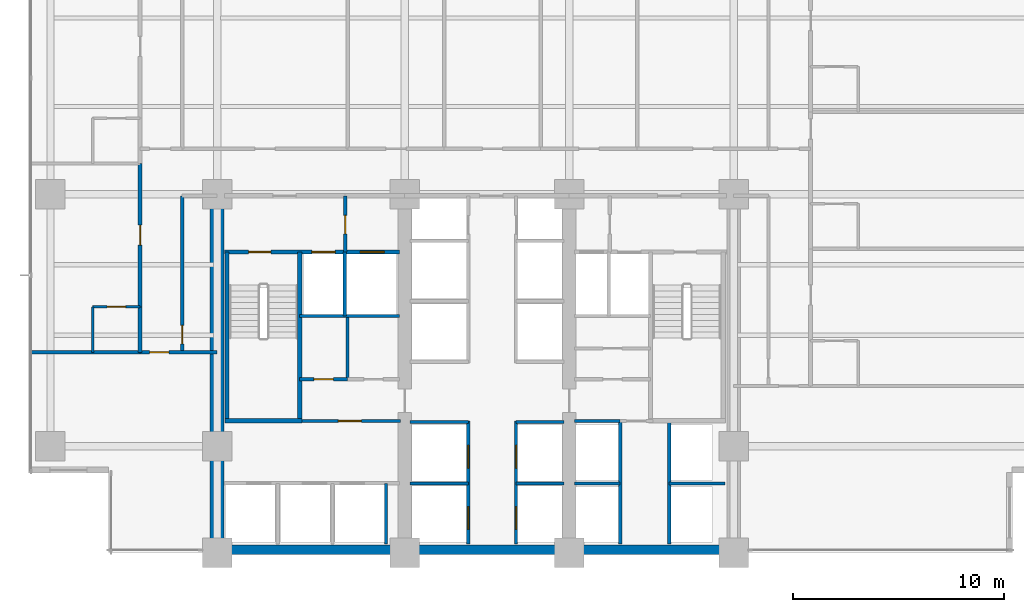
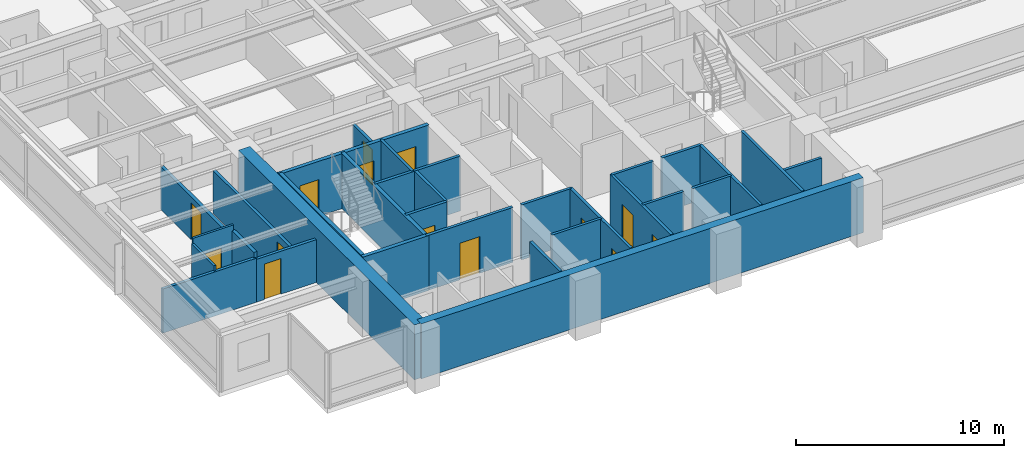
# One storey, part 7 of 16: 31 walls, 14 doors, 14 openings.
"""IFC4 building model written with IfcOpenShell, lengths in metres."""

from ifc_helpers import new_model, si_unit, direction, frame, frame_2d, origin, place, context, subcontext, project, spatial, rectangle, extrude, material, layer, layer_set, type_object, element, fill, save


model = new_model("IFC4")

# Units and contexts
model_context = context("Model", 3, precision=1e-05, world=origin(), true_north=direction((0.0, 1.0)))
body_context = subcontext(model_context, "Body", "Model", "MODEL_VIEW")
ifc_project = project(units=[si_unit("LENGTHUNIT", "METRE"), si_unit("AREAUNIT", "SQUARE_METRE"), si_unit("VOLUMEUNIT", "CUBIC_METRE"), si_unit("PLANEANGLEUNIT", "RADIAN"), si_unit("MASSUNIT", "GRAM", prefix="KILO")], contexts=[model_context])

# Site, building, storey
site_placement = place(None, origin())
site = spatial("IfcSite", under=ifc_project, at=site_placement, CompositionType="ELEMENT")
building_placement = place(site_placement, origin())
building = spatial("IfcBuilding", under=site, at=building_placement, Name="Qalmaran Belvedere Hotel", CompositionType="ELEMENT")
storey_placement = place(building_placement, frame((0.0, 0.0, 43.89990234375)))
storey = spatial("IfcBuildingStorey", under=building, at=storey_placement, Name="L10", CompositionType="ELEMENT", Elevation=43.89990234375)

# Walls
ifc_material_1 = material(Name="Concrete C60/75", Category="concrete")
ifc_layer_1 = layer(ifc_material_1, 0.64990234375, Name="Concrete C60/75")
ifc_layer_set_1 = layer_set([ifc_layer_1], Name="Concrete C60/75")
wall_type_1 = type_object("IfcWallType", Name="WL-CORE-650-C60", PredefinedType="SHEAR", material=ifc_layer_set_1)
wall_1_placement = place(storey_placement, frame((20.300048828125, 3.5, 0.0), z_axis=(0.0, 0.0, 1.0), x_axis=(0.0, 1.0, 0.0)))
element("IfcWall", 1, at=wall_1_placement, inside=storey, type_object=wall_type_1, Name="L10 West Core Shear Wall", PredefinedType="SHEAR", context=body_context, shape_type="SweptSolid", body=[
    extrude(rectangle(XDim=16.89990234375, YDim=0.64990234375, at=frame_2d((8.449951171875, 0.0))), origin(), (0.0, 0.0, 1.0), 3.22021484375),
])
ifc_material_2 = material(Name="Concrete C50/60", Category="concrete")
ifc_layer_2 = layer(ifc_material_2, 0.43994140625, Name="Concrete C50/60")
ifc_layer_set_2 = layer_set([ifc_layer_2], Name="Concrete C50/60")
wall_type_2 = type_object("IfcWallType", Name="WL-CORES-440-EXT", PredefinedType="SHEAR", material=ifc_layer_set_2)
wall_2_placement = place(storey_placement, frame((20.300048828125, 3.6298828125, 0.0), z_axis=(0.0, 0.0, 1.0), x_axis=(1.0, 0.0, 0.0)))
element("IfcWall", 2, at=wall_2_placement, inside=storey, type_object=wall_type_2, Name="L10 South Core Shear Wall", PredefinedType="SHEAR", context=body_context, shape_type="SweptSolid", body=[
    extrude(rectangle(XDim=24.5, YDim=0.43994140625, at=frame_2d((12.25, 0.0))), origin(), (0.0, 0.0, 1.0), 3.22021484375),
])

# Wall, opening, door
ifc_material_3 = material(Name="Moisture-Resistant Gypsum")
ifc_layer_3 = layer(ifc_material_3, 0.1201171875, Name="Moisture-Resistant Gypsum")
ifc_layer_set_3 = layer_set([ifc_layer_3], Name="Moisture-Resistant Gypsum")
wall_type_3 = type_object("IfcWallType", Name="WL-INT-120-BATH", PredefinedType="PARTITIONING", material=ifc_layer_set_3)
wall_3_placement = place(storey_placement, frame((14.39990234375, 15.14990234375, 0.0), z_axis=(0.0, 0.0, 1.0), x_axis=(1.0, 0.0, 0.0)))
wall_3 = element("IfcWall", 3, at=wall_3_placement, inside=storey, type_object=wall_type_3, Name="L10 Partition WL-L10-WBN00", PredefinedType="PARTITIONING", context=body_context, shape_type="SweptSolid", body=[
    extrude(rectangle(XDim=2.25, YDim=0.1201171875, at=frame_2d((1.125, 0.0))), origin(), (0.0, 0.0, 1.0), 3.22021484375),
])
opening_1_placement = place(wall_3_placement, frame((1.56494140625, 0.0, 0.0), z_axis=(0.0, 0.0, 1.0), x_axis=(-1.0, 0.0, 0.0)))
opening_1 = element("IfcOpeningElement", 4, at=opening_1_placement, cuts=wall_3, Name="Opening D-BATH", PredefinedType="OPENING", context=body_context, shape_type="SweptSolid", body=[
    extrude(rectangle(XDim=0.8798828125, YDim=2.080078125, at=frame_2d((0.43994140625, 1.0400390625))), frame((0.0, 0.070068359375, 0.0), z_axis=(0.0, -1.0, 0.0), x_axis=(1.0, 0.0, 0.0)), (0.0, 0.0, 1.0), 0.14013671875),
])
ifc_material_4 = material(Name="Engineered Oak Veneer")
door_type_1 = type_object("IfcDoorType", Name="DR-INT-BATH-880X2080", OperationType="NOTDEFINED", PredefinedType="DOOR", material=ifc_material_4)
door_1_placement = place(opening_1_placement, origin())
door_1 = element("IfcDoor", 5, at=door_1_placement, inside=storey, type_object=door_type_1, Name="L10 W Ensuite Door 01", OperationType="SINGLE_SWING_LEFT", OverallHeight=2.080078125, OverallWidth=0.8798828125, PredefinedType="DOOR", context=body_context, shape_type="SweptSolid", body=[
    extrude(rectangle(XDim=0.8798828125, YDim=2.080078125, at=frame_2d((0.43994140625, 1.0400390625))), frame((0.0, 0.02490234375, 0.0), z_axis=(0.0, -1.0, 0.0), x_axis=(1.0, 0.0, 0.0)), (0.0, 0.0, 1.0), 0.050048828125),
])
fill(opening_1, door_1)

# Walls
wall_4_placement = place(storey_placement, frame((14.39990234375, 13.0, 0.0), z_axis=(0.0, 0.0, 1.0), x_axis=(0.0, 1.0, 0.0)))
element("IfcWall", 6, at=wall_4_placement, inside=storey, type_object=wall_type_3, Name="L10 Partition WL-L10-WBS00", PredefinedType="PARTITIONING", context=body_context, shape_type="SweptSolid", body=[
    extrude(rectangle(XDim=2.14990234375, YDim=0.1201171875, at=frame_2d((1.074951171875, 0.0))), origin(), (0.0, 0.0, 1.0), 2.902099609375),
])
ifc_material_5 = material(Name="Gypsum Stud Partition")
ifc_layer_4 = layer(ifc_material_5, 0.14990234375, Name="Gypsum Stud Partition")
ifc_layer_set_4 = layer_set([ifc_layer_4], Name="Gypsum Stud Partition")
wall_type_4 = type_object("IfcWallType", Name="WL-INT-150-EI120", PredefinedType="PARTITIONING", material=ifc_layer_set_4)
wall_5_placement = place(storey_placement, frame((26.360107421875, 14.719970703125, 0.0), z_axis=(0.0, 0.0, 1.0), x_axis=(0.0, 1.0, 0.0)))
element("IfcWall", 7, at=wall_5_placement, inside=storey, type_object=wall_type_4, Name="L10 Partition WL-FF1M-L10", PredefinedType="PARTITIONING", context=body_context, shape_type="SweptSolid", body=[
    extrude(rectangle(XDim=3.0400390625, YDim=0.14990234375, at=frame_2d((1.52001953125, 0.0))), origin(), (0.0, 0.0, 1.0), 3.22021484375),
])
wall_6_placement = place(storey_placement, frame((28.320068359375, 3.89990234375, 0.0), z_axis=(0.0, 0.0, 1.0), x_axis=(0.0, 1.0, 0.0)))
element("IfcWall", 8, at=wall_6_placement, inside=storey, type_object=wall_type_4, Name="L10 Partition WL-POM3-L10", PredefinedType="PARTITIONING", context=body_context, shape_type="SweptSolid", body=[
    extrude(rectangle(XDim=2.880126953125, YDim=0.14990234375, at=frame_2d((1.43994140625, 0.0))), origin(), (0.0, 0.0, 1.0), 3.22021484375),
])
wall_7_placement = place(storey_placement, frame((37.25, 6.780029296875, 0.0), z_axis=(0.0, 0.0, 1.0), x_axis=(1.0, 0.0, 0.0)))
element("IfcWall", 9, at=wall_7_placement, inside=storey, type_object=wall_type_4, Name="L10 Partition WL-PHMW-L10", PredefinedType="PARTITIONING", context=body_context, shape_type="SweptSolid", body=[
    extrude(rectangle(XDim=2.169921875, YDim=0.14990234375, at=frame_2d((1.0849609375, 0.0))), origin(), (0.0, 0.0, 1.0), 3.22021484375),
])
wall_8_placement = place(storey_placement, frame((41.739990234375, 6.780029296875, 0.0), z_axis=(0.0, 0.0, 1.0), x_axis=(1.0, 0.0, 0.0)))
element("IfcWall", 10, at=wall_8_placement, inside=storey, type_object=wall_type_4, Name="L10 Partition WL-PHME-L10", PredefinedType="PARTITIONING", context=body_context, shape_type="SweptSolid", body=[
    extrude(rectangle(XDim=2.659912109375, YDim=0.14990234375, at=frame_2d((1.330078125, 0.0))), origin(), (0.0, 0.0, 1.0), 2.510009765625),
])
wall_9_placement = place(storey_placement, frame((29.449951171875, 6.780029296875, 0.0), z_axis=(0.0, 0.0, 1.0), x_axis=(1.0, 0.0, 0.0)))
element("IfcWall", 11, at=wall_9_placement, inside=storey, type_object=wall_type_4, Name="L10 Partition WL-PLW-L10-67", PredefinedType="PARTITIONING", context=body_context, shape_type="SweptSolid", body=[
    extrude(rectangle(XDim=2.77001953125, YDim=0.14990234375, at=frame_2d((1.385009765625, 0.0))), origin(), (0.0, 0.0, 1.0), 3.22021484375),
])
wall_10_placement = place(storey_placement, frame((34.47998046875, 6.780029296875, 0.0), z_axis=(0.0, 0.0, 1.0), x_axis=(1.0, 0.0, 0.0)))
element("IfcWall", 12, at=wall_10_placement, inside=storey, type_object=wall_type_4, Name="L10 Partition WL-PLE-L10-67", PredefinedType="PARTITIONING", context=body_context, shape_type="SweptSolid", body=[
    extrude(rectangle(XDim=2.27001953125, YDim=0.14990234375, at=frame_2d((1.135009765625, 0.0))), origin(), (0.0, 0.0, 1.0), 3.22021484375),
])
wall_11_placement = place(storey_placement, frame((29.449951171875, 9.699951171875, 0.0), z_axis=(0.0, 0.0, 1.0), x_axis=(1.0, 0.0, 0.0)))
element("IfcWall", 13, at=wall_11_placement, inside=storey, type_object=wall_type_4, Name="L10 Partition WL-PLW-L10-97", PredefinedType="PARTITIONING", context=body_context, shape_type="SweptSolid", body=[
    extrude(rectangle(XDim=2.77001953125, YDim=0.14990234375, at=frame_2d((1.385009765625, 0.0))), origin(), (0.0, 0.0, 1.0), 3.22021484375),
])
wall_12_placement = place(storey_placement, frame((34.47998046875, 9.699951171875, 0.0), z_axis=(0.0, 0.0, 1.0), x_axis=(1.0, 0.0, 0.0)))
element("IfcWall", 14, at=wall_12_placement, inside=storey, type_object=wall_type_4, Name="L10 Partition WL-PLE-L10-97", PredefinedType="PARTITIONING", context=body_context, shape_type="SweptSolid", body=[
    extrude(rectangle(XDim=2.27001953125, YDim=0.14990234375, at=frame_2d((1.135009765625, 0.0))), origin(), (0.0, 0.0, 1.0), 3.22021484375),
])
ifc_layer_5 = layer(ifc_material_5, 0.14990234375, Name="Gypsum Stud Partition")
ifc_layer_set_5 = layer_set([ifc_layer_5], Name="Gypsum Stud Partition")
wall_type_5 = type_object("IfcWallType", Name="WL-INT-150-EI60", PredefinedType="PARTITIONING", material=ifc_layer_set_5)
wall_13_placement = place(storey_placement, frame((26.490478515625, 11.719970703125, 0.0), z_axis=(0.0, 0.0, 1.0), x_axis=(0.0, 1.0, 0.0)))
element("IfcWall", 15, at=wall_13_placement, inside=storey, type_object=wall_type_5, Name="L10 Partition WL-L10-KWV1", PredefinedType="PARTITIONING", context=body_context, shape_type="SweptSolid", body=[
    extrude(rectangle(XDim=2.929931640625, YDim=0.14990234375, at=frame_2d((1.46484375, 0.0))), origin(), (0.0, 0.0, 1.0), 3.22021484375),
])

# Wall, opening, door
ifc_layer_6 = layer(ifc_material_5, 0.159912109375, Name="Gypsum Stud Partition")
ifc_layer_set_6 = layer_set([ifc_layer_6], Name="Gypsum Stud Partition")
wall_type_6 = type_object("IfcWallType", Name="WL-INT-160-EI120", PredefinedType="PARTITIONING", material=ifc_layer_set_6)
wall_14_placement = place(storey_placement, frame((26.3798828125, 17.760009765625, 0.0), z_axis=(0.0, 0.0, 1.0), x_axis=(0.0, 1.0, 0.0)))
wall_14 = element("IfcWall", 16, at=wall_14_placement, inside=storey, type_object=wall_type_6, Name="L10 Partition WL-FFSV1-L10", PredefinedType="PARTITIONING", context=body_context, shape_type="SweptSolid", body=[
    extrude(rectangle(XDim=2.659912109375, YDim=0.159912109375, at=frame_2d((1.330078125, 0.0))), origin(), (0.0, 0.0, 1.0), 2.510009765625),
])
opening_2_placement = place(wall_14_placement, frame((0.85009765625, 0.0, 0.0)))
opening_2 = element("IfcOpeningElement", 17, at=opening_2_placement, cuts=wall_14, Name="Opening FD60B", PredefinedType="OPENING", context=body_context, shape_type="SweptSolid", body=[
    extrude(rectangle(XDim=0.8798828125, YDim=2.080078125, at=frame_2d((0.43994140625, 1.0400390625))), frame((0.0, 0.08984375, 0.0), z_axis=(0.0, -1.0, 0.0), x_axis=(1.0, 0.0, 0.0)), (0.0, 0.0, 1.0), 0.179931640625),
])
ifc_material_6 = material(Name="Steel S355JR", Category="steel")
door_type_2 = type_object("IfcDoorType", Name="DR-FD60B-880X2080", OperationType="NOTDEFINED", PredefinedType="DOOR", material=ifc_material_6)
door_2_placement = place(opening_2_placement, origin())
door_2 = element("IfcDoor", 18, at=door_2_placement, inside=storey, type_object=door_type_2, Name="L10 Service Lobby West Door", OperationType="SINGLE_SWING_LEFT", OverallHeight=2.080078125, OverallWidth=0.8798828125, PredefinedType="DOOR", context=body_context, shape_type="SweptSolid", body=[
    extrude(rectangle(XDim=0.8798828125, YDim=2.080078125, at=frame_2d((0.43994140625, 1.0400390625))), frame((0.0, 0.02490234375, 0.0), z_axis=(0.0, -1.0, 0.0), x_axis=(1.0, 0.0, 0.0)), (0.0, 0.0, 1.0), 0.050048828125),
])
fill(opening_2, door_2)

# Wall
wall_15_placement = place(storey_placement, frame((24.219970703125, 14.719970703125, 0.0), z_axis=(0.0, 0.0, 1.0), x_axis=(1.0, 0.0, 0.0)))
element("IfcWall", 19, at=wall_15_placement, inside=storey, type_object=wall_type_6, Name="L10 Partition WL-FF1S-L10", PredefinedType="PARTITIONING", context=body_context, shape_type="SweptSolid", body=[
    extrude(rectangle(XDim=4.72998046875, YDim=0.159912109375, at=frame_2d((2.364990234375, 0.0))), origin(), (0.0, 0.0, 1.0), 3.22021484375),
])

# Wall, opening, door
wall_16_placement = place(storey_placement, frame((24.199951171875, 9.739990234375, 0.0), z_axis=(0.0, 0.0, 1.0), x_axis=(1.0, 0.0, 0.0)))
wall_16 = element("IfcWall", 20, at=wall_16_placement, inside=storey, type_object=wall_type_6, Name="L10 Partition WL-PON-L10", PredefinedType="PARTITIONING", context=body_context, shape_type="SweptSolid", body=[
    extrude(rectangle(XDim=4.800048828125, YDim=0.159912109375, at=frame_2d((2.39990234375, 0.0))), origin(), (0.0, 0.0, 1.0), 3.22021484375),
])
opening_3_placement = place(wall_16_placement, frame((1.85009765625, 0.0, 0.0)))
opening_3 = element("IfcOpeningElement", 21, at=opening_3_placement, cuts=wall_16, Name="Opening FD90", PredefinedType="OPENING", context=body_context, shape_type="SweptSolid", body=[
    extrude(rectangle(XDim=1.10009765625, YDim=2.14990234375, at=frame_2d((0.550048828125, 1.074951171875))), frame((0.0, 0.08984375, 0.0), z_axis=(0.0, -1.0, 0.0), x_axis=(1.0, 0.0, 0.0)), (0.0, 0.0, 1.0), 0.179931640625),
])
door_type_3 = type_object("IfcDoorType", Name="DR-FD90-1100X2150", OperationType="NOTDEFINED", PredefinedType="DOOR", material=ifc_material_6)
door_3_placement = place(opening_3_placement, origin())
door_3 = element("IfcDoor", 22, at=door_3_placement, inside=storey, type_object=door_type_3, Name="L10 Shuttle Lobby Passage Door", OperationType="SINGLE_SWING_RIGHT", OverallHeight=2.14990234375, OverallWidth=1.10009765625, PredefinedType="DOOR", context=body_context, shape_type="SweptSolid", body=[
    extrude(rectangle(XDim=1.10009765625, YDim=2.14990234375, at=frame_2d((0.550048828125, 1.074951171875))), frame((0.0, 0.02490234375, 0.0), z_axis=(0.0, -1.0, 0.0), x_axis=(1.0, 0.0, 0.0)), (0.0, 0.0, 1.0), 0.050048828125),
])
fill(opening_3, door_3)

# Walls
for number, where, z_axis, x_axis, name in (
    (23, (39.419921875, 3.89990234375, 0.0), (0.0, 0.0, 1.0), (0.0, 1.0, 0.0), "L10 Partition WL-PHW-L10"),
    (24, (41.739990234375, 3.89990234375, 0.0), (0.0, 0.0, 1.0), (0.0, 1.0, 0.0), "L10 Partition WL-PHE-L10"),
):
    element("IfcWall", number, at=place(storey_placement, frame(where, z_axis=z_axis, x_axis=x_axis)), inside=storey, type_object=wall_type_6, Name=name, PredefinedType="PARTITIONING", context=body_context, shape_type="SweptSolid", body=[
        extrude(rectangle(XDim=5.840087890625, YDim=0.159912109375, at=frame_2d((2.919921875, 0.0))), origin(), (0.0, 0.0, 1.0), 3.22021484375),
    ])
wall_17_placement = place(storey_placement, frame((37.25, 9.739990234375, 0.0), z_axis=(0.0, 0.0, 1.0), x_axis=(1.0, 0.0, 0.0)))
element("IfcWall", 25, at=wall_17_placement, inside=storey, type_object=wall_type_6, Name="L10 Partition WL-PHNW-L10", PredefinedType="PARTITIONING", context=body_context, shape_type="SweptSolid", body=[
    extrude(rectangle(XDim=2.169921875, YDim=0.159912109375, at=frame_2d((1.0849609375, 0.0))), origin(), (0.0, 0.0, 1.0), 3.22021484375),
])

# Wall, openings, doors
wall_18_placement = place(storey_placement, frame((32.219970703125, 3.89990234375, 0.0), z_axis=(0.0, 0.0, 1.0), x_axis=(0.0, 1.0, 0.0)))
wall_18 = element("IfcWall", 26, at=wall_18_placement, inside=storey, type_object=wall_type_6, Name="L10 Partition WL-CLBWS-L10", PredefinedType="PARTITIONING", context=body_context, shape_type="SweptSolid", body=[
    extrude(rectangle(XDim=5.840087890625, YDim=0.159912109375, at=frame_2d((2.919921875, 0.0))), origin(), (0.0, 0.0, 1.0), 3.22021484375),
])
opening_4_placement = place(wall_18_placement, frame((1.780029296875, 0.0, 0.0), z_axis=(0.0, 0.0, 1.0), x_axis=(-1.0, 0.0, 0.0)))
opening_4 = element("IfcOpeningElement", 27, at=opening_4_placement, cuts=wall_18, Name="Opening LD-P1", PredefinedType="OPENING", context=body_context, shape_type="SweptSolid", body=[
    extrude(rectangle(XDim=1.080078125, YDim=2.159912109375, at=frame_2d((0.5400390625, 1.080078125))), frame((0.0, 0.08984375, 0.0), z_axis=(0.0, -1.0, 0.0), x_axis=(1.0, 0.0, 0.0)), (0.0, 0.0, 1.0), 0.179931640625),
])
opening_5_placement = place(wall_18_placement, frame((4.68017578125, 0.0, 0.0), z_axis=(0.0, 0.0, 1.0), x_axis=(-1.0, 0.0, 0.0)))
opening_5 = element("IfcOpeningElement", 28, at=opening_5_placement, cuts=wall_18, Name="Opening LD-P1", PredefinedType="OPENING", context=body_context, shape_type="SweptSolid", body=[
    extrude(rectangle(XDim=1.080078125, YDim=2.159912109375, at=frame_2d((0.5400390625, 1.080078125))), frame((0.0, 0.08984375, 0.0), z_axis=(0.0, -1.0, 0.0), x_axis=(1.0, 0.0, 0.0)), (0.0, 0.0, 1.0), 0.179931640625),
])
ifc_material_7 = material(Name="Stainless Steel 1.4401", Category="steel")
door_type_4 = type_object("IfcDoorType", Name="DR-LIFT-P1-1080X2160", OperationType="DOUBLE_DOOR_SLIDING", PredefinedType="DOOR", material=ifc_material_7)
door_4_placement = place(opening_4_placement, origin())
door_4 = element("IfcDoor", 29, at=door_4_placement, inside=storey, type_object=door_type_4, Name="L10 PL1 Lift Landing Door", OperationType="DOUBLE_DOOR_SLIDING", OverallHeight=2.159912109375, OverallWidth=1.080078125, PredefinedType="DOOR", context=body_context, shape_type="SweptSolid", body=[
    extrude(rectangle(XDim=1.080078125, YDim=2.159912109375, at=frame_2d((0.5400390625, 1.080078125))), frame((0.0, 0.02490234375, 0.0), z_axis=(0.0, -1.0, 0.0), x_axis=(1.0, 0.0, 0.0)), (0.0, 0.0, 1.0), 0.050048828125),
])
fill(opening_4, door_4)
door_5_placement = place(opening_5_placement, origin())
door_5 = element("IfcDoor", 30, at=door_5_placement, inside=storey, type_object=door_type_4, Name="L10 PL2 Lift Landing Door", OperationType="DOUBLE_DOOR_SLIDING", OverallHeight=2.159912109375, OverallWidth=1.080078125, PredefinedType="DOOR", context=body_context, shape_type="SweptSolid", body=[
    extrude(rectangle(XDim=1.080078125, YDim=2.159912109375, at=frame_2d((0.5400390625, 1.080078125))), frame((0.0, 0.02490234375, 0.0), z_axis=(0.0, -1.0, 0.0), x_axis=(1.0, 0.0, 0.0)), (0.0, 0.0, 1.0), 0.050048828125),
])
fill(opening_5, door_5)

wall_19_placement = place(storey_placement, frame((34.47998046875, 3.89990234375, 0.0), z_axis=(0.0, 0.0, 1.0), x_axis=(0.0, 1.0, 0.0)))
wall_19 = element("IfcWall", 31, at=wall_19_placement, inside=storey, type_object=wall_type_6, Name="L10 Partition WL-CLBES-L10", PredefinedType="PARTITIONING", context=body_context, shape_type="SweptSolid", body=[
    extrude(rectangle(XDim=5.840087890625, YDim=0.159912109375, at=frame_2d((2.919921875, 0.0))), origin(), (0.0, 0.0, 1.0), 3.22021484375),
])
opening_6_placement = place(wall_19_placement, frame((0.699951171875, 0.0, 0.0)))
opening_6 = element("IfcOpeningElement", 32, at=opening_6_placement, cuts=wall_19, Name="Opening LD-P1", PredefinedType="OPENING", context=body_context, shape_type="SweptSolid", body=[
    extrude(rectangle(XDim=1.080078125, YDim=2.159912109375, at=frame_2d((0.5400390625, 1.080078125))), frame((0.0, 0.08984375, 0.0), z_axis=(0.0, -1.0, 0.0), x_axis=(1.0, 0.0, 0.0)), (0.0, 0.0, 1.0), 0.179931640625),
])
opening_7_placement = place(wall_19_placement, frame((3.60009765625, 0.0, 0.0)))
opening_7 = element("IfcOpeningElement", 33, at=opening_7_placement, cuts=wall_19, Name="Opening LD-P1", PredefinedType="OPENING", context=body_context, shape_type="SweptSolid", body=[
    extrude(rectangle(XDim=1.080078125, YDim=2.159912109375, at=frame_2d((0.5400390625, 1.080078125))), frame((0.0, 0.08984375, 0.0), z_axis=(0.0, -1.0, 0.0), x_axis=(1.0, 0.0, 0.0)), (0.0, 0.0, 1.0), 0.179931640625),
])
door_6_placement = place(opening_6_placement, origin())
door_6 = element("IfcDoor", 34, at=door_6_placement, inside=storey, type_object=door_type_4, Name="L10 PL3 Lift Landing Door", OperationType="DOUBLE_DOOR_SLIDING", OverallHeight=2.159912109375, OverallWidth=1.080078125, PredefinedType="DOOR", context=body_context, shape_type="SweptSolid", body=[
    extrude(rectangle(XDim=1.080078125, YDim=2.159912109375, at=frame_2d((0.5400390625, 1.080078125))), frame((0.0, 0.02490234375, 0.0), z_axis=(0.0, -1.0, 0.0), x_axis=(1.0, 0.0, 0.0)), (0.0, 0.0, 1.0), 0.050048828125),
])
fill(opening_6, door_6)
door_7_placement = place(opening_7_placement, origin())
door_7 = element("IfcDoor", 35, at=door_7_placement, inside=storey, type_object=door_type_4, Name="L10 PL4 Lift Landing Door", OperationType="DOUBLE_DOOR_SLIDING", OverallHeight=2.159912109375, OverallWidth=1.080078125, PredefinedType="DOOR", context=body_context, shape_type="SweptSolid", body=[
    extrude(rectangle(XDim=1.080078125, YDim=2.159912109375, at=frame_2d((0.5400390625, 1.080078125))), frame((0.0, 0.02490234375, 0.0), z_axis=(0.0, -1.0, 0.0), x_axis=(1.0, 0.0, 0.0)), (0.0, 0.0, 1.0), 0.050048828125),
])
fill(opening_7, door_7)

# Wall, opening, door
ifc_layer_7 = layer(ifc_material_5, 0.159912109375, Name="Gypsum Stud Partition")
ifc_layer_set_7 = layer_set([ifc_layer_7], Name="Gypsum Stud Partition")
wall_type_7 = type_object("IfcWallType", Name="WL-INT-160-EI60", PredefinedType="PARTITIONING", material=ifc_layer_set_7)
wall_20_placement = place(storey_placement, frame((24.219970703125, 11.719970703125, 0.0), z_axis=(0.0, 0.0, 1.0), x_axis=(1.0, 0.0, 0.0)))
wall_20 = element("IfcWall", 36, at=wall_20_placement, inside=storey, type_object=wall_type_7, Name="L10 Partition WL-L10-KWE1", PredefinedType="PARTITIONING", context=body_context, shape_type="SweptSolid", body=[
    extrude(rectangle(XDim=2.2705078125, YDim=0.159912109375, at=frame_2d((1.13525390625, 0.0))), origin(), (0.0, 0.0, 1.0), 3.22021484375),
])
opening_8_placement = place(wall_20_placement, frame((0.67529296875, 0.0, 0.0)))
opening_8 = element("IfcOpeningElement", 37, at=opening_8_placement, cuts=wall_20, Name="Opening FD60S1", PredefinedType="OPENING", context=body_context, shape_type="SweptSolid", body=[
    extrude(rectangle(XDim=0.919921875, YDim=2.080078125, at=frame_2d((0.4599609375, 1.0400390625))), frame((0.0, 0.08984375, 0.0), z_axis=(0.0, -1.0, 0.0), x_axis=(1.0, 0.0, 0.0)), (0.0, 0.0, 1.0), 0.179931640625),
])
door_type_5 = type_object("IfcDoorType", Name="DR-FD60S-920X2080", OperationType="NOTDEFINED", PredefinedType="DOOR", material=ifc_material_4)
door_8_placement = place(opening_8_placement, origin())
door_8 = element("IfcDoor", 38, at=door_8_placement, inside=storey, type_object=door_type_5, Name="L10 Telecom and IT Room Door", OperationType="SINGLE_SWING_RIGHT", OverallHeight=2.080078125, OverallWidth=0.919921875, PredefinedType="DOOR", context=body_context, shape_type="SweptSolid", body=[
    extrude(rectangle(XDim=0.919921875, YDim=2.080078125, at=frame_2d((0.4599609375, 1.0400390625))), frame((0.0, 0.02490234375, 0.0), z_axis=(0.0, -1.0, 0.0), x_axis=(1.0, 0.0, 0.0)), (0.0, 0.0, 1.0), 0.050048828125),
])
fill(opening_8, door_8)

wall_21_placement = place(storey_placement, frame((16.64990234375, 13.0, 0.0), z_axis=(0.0, 0.0, 1.0), x_axis=(1.0, 0.0, 0.0)))
wall_21 = element("IfcWall", 39, at=wall_21_placement, inside=storey, type_object=wall_type_7, Name="L10 Partition WL-L10-SWRL", PredefinedType="PARTITIONING", context=body_context, shape_type="SweptSolid", body=[
    extrude(rectangle(XDim=3.650146484375, YDim=0.159912109375, at=frame_2d((1.8251953125, 0.0))), origin(), (0.0, 0.0, 1.0), 2.510009765625),
])
opening_9_placement = place(wall_21_placement, frame((1.369873046875, 0.0, 0.0), z_axis=(0.0, 0.0, 1.0), x_axis=(-1.0, 0.0, 0.0)))
opening_9 = element("IfcOpeningElement", 40, at=opening_9_placement, cuts=wall_21, Name="Opening FD60S1", PredefinedType="OPENING", context=body_context, shape_type="SweptSolid", body=[
    extrude(rectangle(XDim=0.919921875, YDim=2.080078125, at=frame_2d((0.4599609375, 1.0400390625))), frame((0.0, 0.08984375, 0.0), z_axis=(0.0, -1.0, 0.0), x_axis=(1.0, 0.0, 0.0)), (0.0, 0.0, 1.0), 0.179931640625),
])
door_9_placement = place(opening_9_placement, origin())
door_9 = element("IfcDoor", 41, at=door_9_placement, inside=storey, type_object=door_type_5, Name="L10 SW Lounge Door", OperationType="SINGLE_SWING_RIGHT", OverallHeight=2.080078125, OverallWidth=0.919921875, PredefinedType="DOOR", context=body_context, shape_type="SweptSolid", body=[
    extrude(rectangle(XDim=0.919921875, YDim=2.080078125, at=frame_2d((0.4599609375, 1.0400390625))), frame((0.0, 0.02490234375, 0.0), z_axis=(0.0, -1.0, 0.0), x_axis=(1.0, 0.0, 0.0)), (0.0, 0.0, 1.0), 0.050048828125),
])
fill(opening_9, door_9)

wall_22_placement = place(storey_placement, frame((18.64990234375, 13.0, 0.0), z_axis=(0.0, 0.0, 1.0), x_axis=(0.0, 1.0, 0.0)))
wall_22 = element("IfcWall", 42, at=wall_22_placement, inside=storey, type_object=wall_type_7, Name="L10 Partition WL-L10-WCL", PredefinedType="PARTITIONING", context=body_context, shape_type="SweptSolid", body=[
    extrude(rectangle(XDim=7.419921875, YDim=0.159912109375, at=frame_2d((3.7099609375, 0.0))), origin(), (0.0, 0.0, 1.0), 2.510009765625),
])
opening_10_placement = place(wall_22_placement, frame((1.27978515625, 0.0, 0.0), z_axis=(0.0, 0.0, 1.0), x_axis=(-1.0, 0.0, 0.0)))
opening_10 = element("IfcOpeningElement", 43, at=opening_10_placement, cuts=wall_22, Name="Opening FD60B", PredefinedType="OPENING", context=body_context, shape_type="SweptSolid", body=[
    extrude(rectangle(XDim=0.8798828125, YDim=2.080078125, at=frame_2d((0.43994140625, 1.0400390625))), frame((0.0, 0.08984375, 0.0), z_axis=(0.0, -1.0, 0.0), x_axis=(1.0, 0.0, 0.0)), (0.0, 0.0, 1.0), 0.179931640625),
])
door_10_placement = place(opening_10_placement, origin())
door_10 = element("IfcDoor", 44, at=door_10_placement, inside=storey, type_object=door_type_2, Name="L10 West Closet Door", OperationType="SINGLE_SWING_RIGHT", OverallHeight=2.080078125, OverallWidth=0.8798828125, PredefinedType="DOOR", context=body_context, shape_type="SweptSolid", body=[
    extrude(rectangle(XDim=0.8798828125, YDim=2.080078125, at=frame_2d((0.43994140625, 1.0400390625))), frame((0.0, 0.02490234375, 0.0), z_axis=(0.0, -1.0, 0.0), x_axis=(1.0, 0.0, 0.0)), (0.0, 0.0, 1.0), 0.050048828125),
])
fill(opening_10, door_10)

# Walls
wall_23_placement = place(storey_placement, frame((11.469970703125, 13.0, 0.0), z_axis=(0.0, 0.0, 1.0), x_axis=(1.0, 0.0, 0.0)))
element("IfcWall", 45, at=wall_23_placement, inside=storey, type_object=wall_type_7, Name="L10 Partition WL-L10-WBOT", PredefinedType="PARTITIONING", context=body_context, shape_type="SweptSolid", body=[
    extrude(rectangle(XDim=5.179931640625, YDim=0.159912109375, at=frame_2d((2.58984375, 0.0))), origin(), (0.0, 0.0, 1.0), 2.5830078125),
])
ifc_layer_8 = layer(ifc_material_5, 0.179931640625, Name="Gypsum Stud Partition")
ifc_layer_set_8 = layer_set([ifc_layer_8], Name="Gypsum Stud Partition")
wall_type_8 = type_object("IfcWallType", Name="WL-INT-180-EI60", PredefinedType="PARTITIONING", material=ifc_layer_set_8)
wall_24_placement = place(storey_placement, frame((16.64990234375, 13.0, 0.0), z_axis=(0.0, 0.0, 1.0), x_axis=(0.0, 1.0, 0.0)))
element("IfcWall", 46, at=wall_24_placement, inside=storey, type_object=wall_type_8, Name="L10 Partition WL-L10-WBC00", PredefinedType="PARTITIONING", context=body_context, shape_type="SweptSolid", body=[
    extrude(rectangle(XDim=2.14990234375, YDim=0.179931640625, at=frame_2d((1.074951171875, 0.0))), origin(), (0.0, 0.0, 1.0), 2.902099609375),
])

# Wall, opening, door
wall_25_placement = place(storey_placement, frame((16.64990234375, 15.14990234375, 0.0), z_axis=(0.0, 0.0, 1.0), x_axis=(0.0, 1.0, 0.0)))
wall_25 = element("IfcWall", 47, at=wall_25_placement, inside=storey, type_object=wall_type_8, Name="L10 Partition WL-L10-WEC00", PredefinedType="PARTITIONING", context=body_context, shape_type="SweptSolid", body=[
    extrude(rectangle(XDim=6.800048828125, YDim=0.179931640625, at=frame_2d((3.39990234375, 0.0))), origin(), (0.0, 0.0, 1.0), 2.510009765625),
])
opening_11_placement = place(wall_25_placement, frame((2.925048828125, 0.0, 0.0)))
opening_11 = element("IfcOpeningElement", 48, at=opening_11_placement, cuts=wall_25, Name="Opening FD60", PredefinedType="OPENING", context=body_context, shape_type="SweptSolid", body=[
    extrude(rectangle(XDim=0.949951171875, YDim=2.14990234375, at=frame_2d((0.47509765625, 1.074951171875))), frame((0.0, 0.10009765625, 0.0), z_axis=(0.0, -1.0, 0.0), x_axis=(1.0, 0.0, 0.0)), (0.0, 0.0, 1.0), 0.199951171875),
])
door_type_6 = type_object("IfcDoorType", Name="DR-FD60-950X2150", OperationType="NOTDEFINED", PredefinedType="DOOR", material=ifc_material_4)
door_11_placement = place(opening_11_placement, origin())
door_11 = element("IfcDoor", 49, at=door_11_placement, inside=storey, type_object=door_type_6, Name="L10 W Wing Door 01", OperationType="SINGLE_SWING_RIGHT", OverallHeight=2.14990234375, OverallWidth=0.949951171875, PredefinedType="DOOR", context=body_context, shape_type="SweptSolid", body=[
    extrude(rectangle(XDim=0.949951171875, YDim=2.14990234375, at=frame_2d((0.47509765625, 1.074951171875))), frame((0.0, 0.02490234375, 0.0), z_axis=(0.0, -1.0, 0.0), x_axis=(1.0, 0.0, 0.0)), (0.0, 0.0, 1.0), 0.050048828125),
])
fill(opening_11, door_11)

# Walls
ifc_layer_9 = layer(ifc_material_2, 0.2099609375, Name="Concrete C50/60")
ifc_layer_set_9 = layer_set([ifc_layer_9], Name="Concrete C50/60")
wall_type_9 = type_object("IfcWallType", Name="WL-STAIR-210-C50", PredefinedType="SHEAR", material=ifc_layer_set_9)
for number, where, z_axis, x_axis, name in (
    (50, (20.77490234375, 9.7451171875, 0.0), (0.0, 0.0, 1.0), (0.0, 1.0, 0.0), "L10 Stair ST-1 West Bearing Wall"),
    (51, (24.22509765625, 9.7451171875, 0.0), (0.0, 0.0, 1.0), (0.0, 1.0, 0.0), "L10 Stair ST-1 East Bearing Wall"),
):
    element("IfcWall", number, at=place(storey_placement, frame(where, z_axis=z_axis, x_axis=x_axis)), inside=storey, type_object=wall_type_9, Name=name, PredefinedType="SHEAR", context=body_context, shape_type="SweptSolid", body=[
        extrude(rectangle(XDim=8.009765625, YDim=0.2099609375, at=frame_2d((4.0048828125, 0.0))), origin(), (0.0, 0.0, 1.0), 3.22021484375),
    ])
wall_26_placement = place(storey_placement, frame((20.669921875, 9.7451171875, 0.0), z_axis=(0.0, 0.0, 1.0), x_axis=(1.0, 0.0, 0.0)))
element("IfcWall", 52, at=wall_26_placement, inside=storey, type_object=wall_type_9, Name="L10 Stair ST-1 South Bearing Wall", PredefinedType="SHEAR", context=body_context, shape_type="SweptSolid", body=[
    extrude(rectangle(XDim=3.66015625, YDim=0.2099609375, at=frame_2d((1.830078125, 0.0))), origin(), (0.0, 0.0, 1.0), 3.22021484375),
])

# Wall, openings, doors
wall_27_placement = place(storey_placement, frame((20.64990234375, 17.7548828125, 0.0), z_axis=(0.0, 0.0, 1.0), x_axis=(1.0, 0.0, 0.0)))
wall_27 = element("IfcWall", 53, at=wall_27_placement, inside=storey, type_object=wall_type_9, Name="L10 West Lobby and Stair ST-1 North Bearing Wall", PredefinedType="SHEAR", context=body_context, shape_type="SweptSolid", body=[
    extrude(rectangle(XDim=8.300048828125, YDim=0.2099609375, at=frame_2d((4.14990234375, 0.0))), origin(), (0.0, 0.0, 1.0), 3.22021484375),
])
opening_12_placement = place(wall_27_placement, frame((2.199951171875, 0.0, 0.0), z_axis=(0.0, 0.0, 1.0), x_axis=(-1.0, 0.0, 0.0)))
opening_12 = element("IfcOpeningElement", 54, at=opening_12_placement, cuts=wall_27, Name="Opening FD90S2", PredefinedType="OPENING", context=body_context, shape_type="SweptSolid", body=[
    extrude(rectangle(XDim=1.050048828125, YDim=2.14990234375, at=frame_2d((0.52490234375, 1.074951171875))), frame((0.0, 0.114990234375, 0.0), z_axis=(0.0, -1.0, 0.0), x_axis=(1.0, 0.0, 0.0)), (0.0, 0.0, 1.0), 0.22998046875),
])
opening_13_placement = place(wall_27_placement, frame((4.14990234375, 0.0, 0.0)))
opening_13 = element("IfcOpeningElement", 55, at=opening_13_placement, cuts=wall_27, Name="Opening LD-FF", PredefinedType="OPENING", context=body_context, shape_type="SweptSolid", body=[
    extrude(rectangle(XDim=1.10009765625, YDim=2.179931640625, at=frame_2d((0.550048828125, 1.08984375))), frame((0.0, 0.114990234375, 0.0), z_axis=(0.0, -1.0, 0.0), x_axis=(1.0, 0.0, 0.0)), (0.0, 0.0, 1.0), 0.22998046875),
])
opening_14_placement = place(wall_27_placement, frame((6.449951171875, 0.0, 0.0)))
opening_14 = element("IfcOpeningElement", 56, at=opening_14_placement, cuts=wall_27, Name="Opening LD-SV", PredefinedType="OPENING", context=body_context, shape_type="SweptSolid", body=[
    extrude(rectangle(XDim=1.1201171875, YDim=2.199951171875, at=frame_2d((0.56005859375, 1.10009765625))), frame((0.0, 0.114990234375, 0.0), z_axis=(0.0, -1.0, 0.0), x_axis=(1.0, 0.0, 0.0)), (0.0, 0.0, 1.0), 0.22998046875),
])
door_type_7 = type_object("IfcDoorType", Name="DR-FD90S-1050X2150", OperationType="NOTDEFINED", PredefinedType="DOOR", material=ifc_material_6)
door_12_placement = place(opening_12_placement, origin())
door_12 = element("IfcDoor", 57, at=door_12_placement, inside=storey, type_object=door_type_7, Name="L10 Stair ST-1 Door", OperationType="SINGLE_SWING_LEFT", OverallHeight=2.14990234375, OverallWidth=1.050048828125, PredefinedType="DOOR", context=body_context, shape_type="SweptSolid", body=[
    extrude(rectangle(XDim=1.050048828125, YDim=2.14990234375, at=frame_2d((0.52490234375, 1.074951171875))), frame((0.0, 0.02490234375, 0.0), z_axis=(0.0, -1.0, 0.0), x_axis=(1.0, 0.0, 0.0)), (0.0, 0.0, 1.0), 0.050048828125),
])
fill(opening_12, door_12)
door_type_8 = type_object("IfcDoorType", Name="DR-LIFT-FF-1100X2180", OperationType="DOUBLE_DOOR_SLIDING", PredefinedType="DOOR", material=ifc_material_7)
door_13_placement = place(opening_13_placement, origin())
door_13 = element("IfcDoor", 58, at=door_13_placement, inside=storey, type_object=door_type_8, Name="L10 FF1 Lift Landing Door", OperationType="DOUBLE_DOOR_SLIDING", OverallHeight=2.179931640625, OverallWidth=1.10009765625, PredefinedType="DOOR", context=body_context, shape_type="SweptSolid", body=[
    extrude(rectangle(XDim=1.10009765625, YDim=2.179931640625, at=frame_2d((0.550048828125, 1.08984375))), frame((0.0, 0.02490234375, 0.0), z_axis=(0.0, -1.0, 0.0), x_axis=(1.0, 0.0, 0.0)), (0.0, 0.0, 1.0), 0.050048828125),
])
fill(opening_13, door_13)
door_type_9 = type_object("IfcDoorType", Name="DR-LIFT-SV-1120X2200", OperationType="DOUBLE_DOOR_SLIDING", PredefinedType="DOOR", material=ifc_material_7)
door_14_placement = place(opening_14_placement, origin())
door_14 = element("IfcDoor", 59, at=door_14_placement, inside=storey, type_object=door_type_9, Name="L10 SV1 Lift Landing Door", OperationType="DOUBLE_DOOR_SLIDING", OverallHeight=2.199951171875, OverallWidth=1.1201171875, PredefinedType="DOOR", context=body_context, shape_type="SweptSolid", body=[
    extrude(rectangle(XDim=1.1201171875, YDim=2.199951171875, at=frame_2d((0.56005859375, 1.10009765625))), frame((0.0, 0.02490234375, 0.0), z_axis=(0.0, -1.0, 0.0), x_axis=(1.0, 0.0, 0.0)), (0.0, 0.0, 1.0), 0.050048828125),
])
fill(opening_14, door_14)

save(model, "model.ifc")
